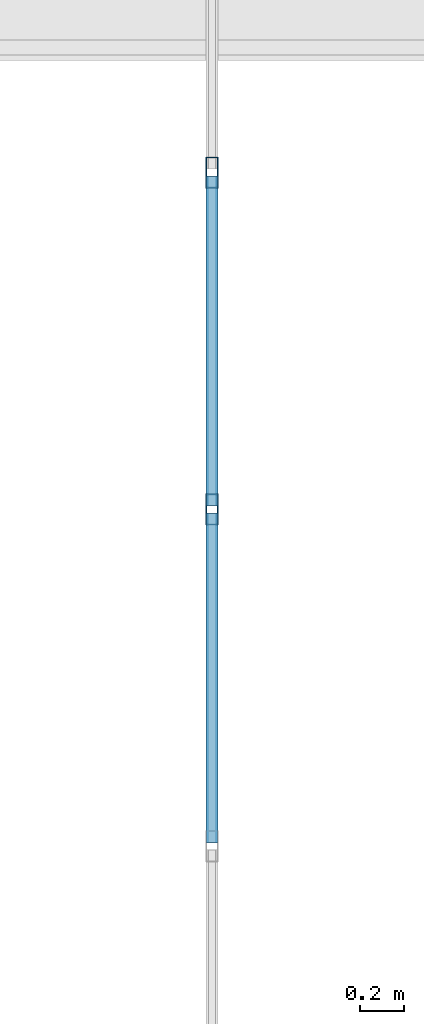
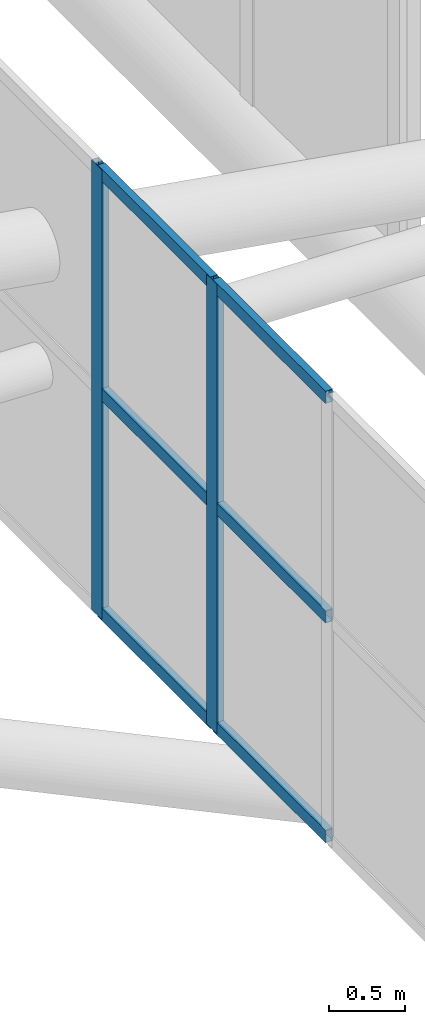
# One storey, part 148 of 397: 8 members, 1 element without a shape of its own.
"""IFC4 building model written with IfcOpenShell, lengths in metres."""

from ifc_helpers import new_model, si_unit, direction, frame, origin, origin_2d, place, context, subcontext, project, spatial, hollow_rectangle, extrude, material, material_profile, profile_set, type_object, element, aggregate, save


model = new_model("IFC4")

# Units and contexts
model_context = context("Model", 3, precision=1e-05, world=origin(), true_north=direction((0.0, 1.0)))
body_context = subcontext(model_context, "Body", "Model", "MODEL_VIEW")
ifc_project = project(units=[si_unit("LENGTHUNIT", "METRE"), si_unit("AREAUNIT", "SQUARE_METRE"), si_unit("VOLUMEUNIT", "CUBIC_METRE"), si_unit("PLANEANGLEUNIT", "RADIAN"), si_unit("MASSUNIT", "GRAM", prefix="KILO")], contexts=[model_context])

# Site, building, storey
site_placement = place(None, origin())
site = spatial("IfcSite", under=ifc_project, at=site_placement, CompositionType="ELEMENT")
building_placement = place(site_placement, origin())
building = spatial("IfcBuilding", under=site, at=building_placement, Name="Qandorah Velis Arena", CompositionType="ELEMENT")
storey_placement = place(building_placement, frame((0.0, 0.0, 27.5)))
storey = spatial("IfcBuildingStorey", under=building, at=storey_placement, Name="RF", CompositionType="ELEMENT", Elevation=27.5)

# Curtain wall, members
ifc_material_1 = material(Name="Solar-control low-E double glazing", Category="glass")
curtain_wall_type = type_object("IfcCurtainWallType", Name="ARC-CW-SYS14", PredefinedType="USERDEFINED", material=ifc_material_1)
curtain_wall_placement = place(storey_placement, origin())
curtain_wall = element("IfcCurtainWall", 1, at=curtain_wall_placement, inside=storey, type_object=curtain_wall_type, Name="Unitised curtain wall MON-2-2", ObjectType="UNITISED CURTAIN WALL", PredefinedType="USERDEFINED")
ifc_material_2 = material(Name="Champagne-bronze anodized aluminium 6063-T6", Category="aluminium")
ifc_material_profile_1 = material_profile(ifc_material_2, hollow_rectangle(XDim=0.054931640625, YDim=0.139892578125, WallThickness=0.0029296875, at=origin_2d()), Name="ALU MULLION 55x140")
ifc_profile_set_1 = profile_set([ifc_material_profile_1], Name="Champagne-bronze anodized aluminium 6063-T6")
member_type_1 = type_object("IfcMemberType", Name="ARC-CWM-140", PredefinedType="MULLION", material=ifc_profile_set_1)
member_1_placement = place(storey_placement, frame((108.0, 40.916748046875, 5.13427734375), z_axis=(0.0, 0.0, 1.0), x_axis=(-1.0, 0.0, 0.0)))
member_1 = element("IfcMember", 2, at=member_1_placement, type_object=member_type_1, Name="CW14 mullion 4", PredefinedType="MULLION", context=body_context, shape_type="SweptSolid", body=[
    extrude(hollow_rectangle(XDim=0.054931640625, YDim=0.139892578125, WallThickness=0.0029296875, at=origin_2d()), origin(), (0.0, 0.0, 1.0), 3.630126953125),
])
member_2_placement = place(storey_placement, frame((108.0, 42.43896484375, 5.13427734375), z_axis=(0.0, 0.0, 1.0), x_axis=(-1.0, 0.0, 0.0)))
member_2 = element("IfcMember", 3, at=member_2_placement, type_object=member_type_1, Name="CW14 mullion 5", PredefinedType="MULLION", context=body_context, shape_type="SweptSolid", body=[
    extrude(hollow_rectangle(XDim=0.054931640625, YDim=0.139892578125, WallThickness=0.0029296875, at=origin_2d()), origin(), (0.0, 0.0, 1.0), 3.630126953125),
])
ifc_material_profile_2 = material_profile(ifc_material_2, hollow_rectangle(XDim=0.054931640625, YDim=0.10009765625, WallThickness=0.0029296875, at=origin_2d()), Name="ALU TRANSOM 55x100")
ifc_profile_set_2 = profile_set([ifc_material_profile_2], Name="Champagne-bronze anodized aluminium 6063-T6")
member_type_2 = type_object("IfcMemberType", Name="ARC-CWT-100", PredefinedType="USERDEFINED", material=ifc_profile_set_2)
member_3_placement = place(storey_placement, frame((108.0, 39.409912109375, 5.1767578125), z_axis=(0.0, 1.0, 0.0), x_axis=(-1.0, 0.0, 0.0)))
member_3 = element("IfcMember", 4, at=member_3_placement, type_object=member_type_2, Name="CW14 transom 3.1", ObjectType="TRANSOM", PredefinedType="USERDEFINED", context=body_context, shape_type="SweptSolid", body=[
    extrude(hollow_rectangle(XDim=0.054931640625, YDim=0.10009765625, WallThickness=0.0029296875, at=origin_2d()), origin(), (0.0, 0.0, 1.0), 1.4912109375),
])
member_4_placement = place(storey_placement, frame((108.0, 39.409912109375, 6.94921875), z_axis=(0.0, 1.0, 0.0), x_axis=(-1.0, 0.0, 0.0)))
member_4 = element("IfcMember", 5, at=member_4_placement, type_object=member_type_2, Name="CW14 transom 3.2", ObjectType="TRANSOM", PredefinedType="USERDEFINED", context=body_context, shape_type="SweptSolid", body=[
    extrude(hollow_rectangle(XDim=0.054931640625, YDim=0.10009765625, WallThickness=0.0029296875, at=origin_2d()), origin(), (0.0, 0.0, 1.0), 1.4912109375),
])
member_5_placement = place(storey_placement, frame((108.0, 39.409912109375, 8.7216796875), z_axis=(0.0, 1.0, 0.0), x_axis=(-1.0, 0.0, 0.0)))
member_5 = element("IfcMember", 6, at=member_5_placement, type_object=member_type_2, Name="CW14 transom 3.3", ObjectType="TRANSOM", PredefinedType="USERDEFINED", context=body_context, shape_type="SweptSolid", body=[
    extrude(hollow_rectangle(XDim=0.054931640625, YDim=0.10009765625, WallThickness=0.0029296875, at=origin_2d()), origin(), (0.0, 0.0, 1.0), 1.4912109375),
])
member_6_placement = place(storey_placement, frame((108.0, 40.93212890625, 5.1767578125), z_axis=(0.0, 1.0, 0.0), x_axis=(-1.0, 0.0, 0.0)))
member_6 = element("IfcMember", 7, at=member_6_placement, type_object=member_type_2, Name="CW14 transom 4.1", ObjectType="TRANSOM", PredefinedType="USERDEFINED", context=body_context, shape_type="SweptSolid", body=[
    extrude(hollow_rectangle(XDim=0.054931640625, YDim=0.10009765625, WallThickness=0.0029296875, at=origin_2d()), origin(), (0.0, 0.0, 1.0), 1.4912109375),
])
member_7_placement = place(storey_placement, frame((108.0, 40.93212890625, 6.94921875), z_axis=(0.0, 1.0, 0.0), x_axis=(-1.0, 0.0, 0.0)))
member_7 = element("IfcMember", 8, at=member_7_placement, type_object=member_type_2, Name="CW14 transom 4.2", ObjectType="TRANSOM", PredefinedType="USERDEFINED", context=body_context, shape_type="SweptSolid", body=[
    extrude(hollow_rectangle(XDim=0.054931640625, YDim=0.10009765625, WallThickness=0.0029296875, at=origin_2d()), origin(), (0.0, 0.0, 1.0), 1.4912109375),
])
member_8_placement = place(storey_placement, frame((108.0, 40.93212890625, 8.7216796875), z_axis=(0.0, 1.0, 0.0), x_axis=(-1.0, 0.0, 0.0)))
member_8 = element("IfcMember", 9, at=member_8_placement, type_object=member_type_2, Name="CW14 transom 4.3", ObjectType="TRANSOM", PredefinedType="USERDEFINED", context=body_context, shape_type="SweptSolid", body=[
    extrude(hollow_rectangle(XDim=0.054931640625, YDim=0.10009765625, WallThickness=0.0029296875, at=origin_2d()), origin(), (0.0, 0.0, 1.0), 1.4912109375),
])
aggregate(curtain_wall, [member_1, member_2, member_3, member_4, member_5, member_6, member_7, member_8])

save(model, "model.ifc")
